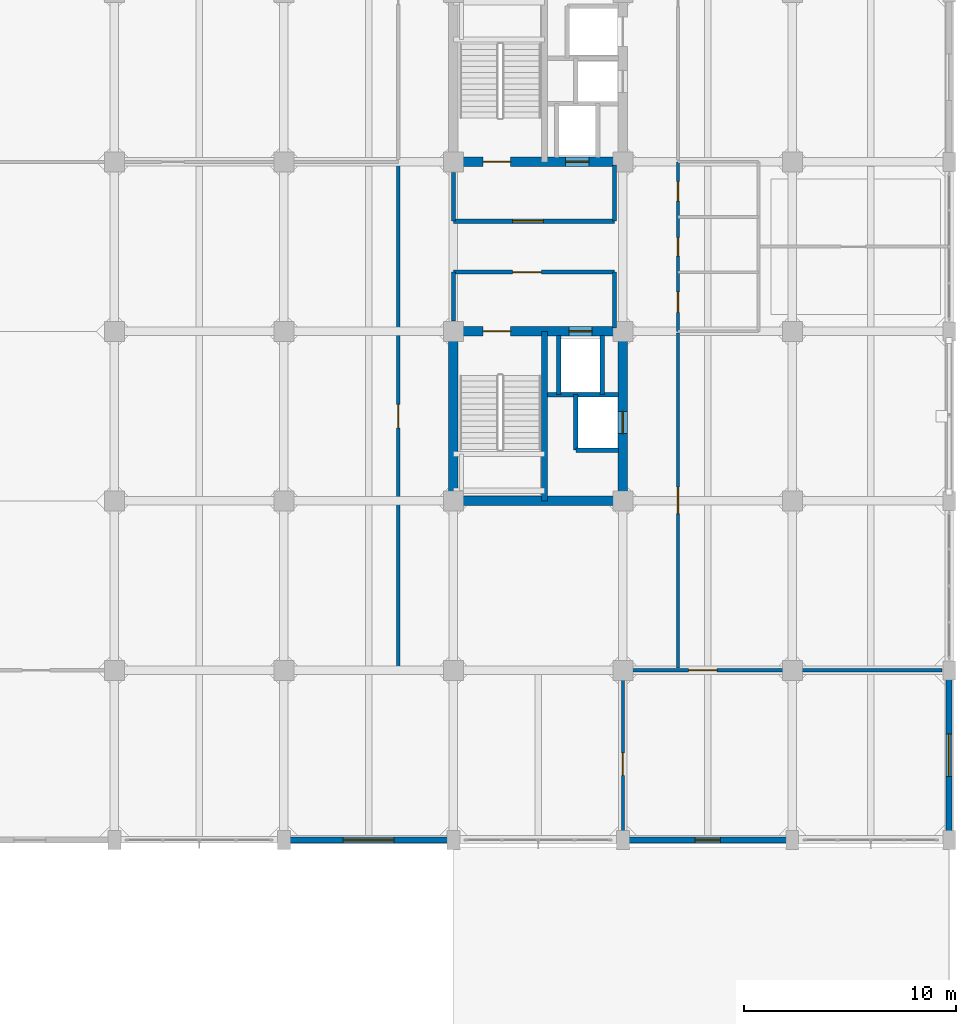
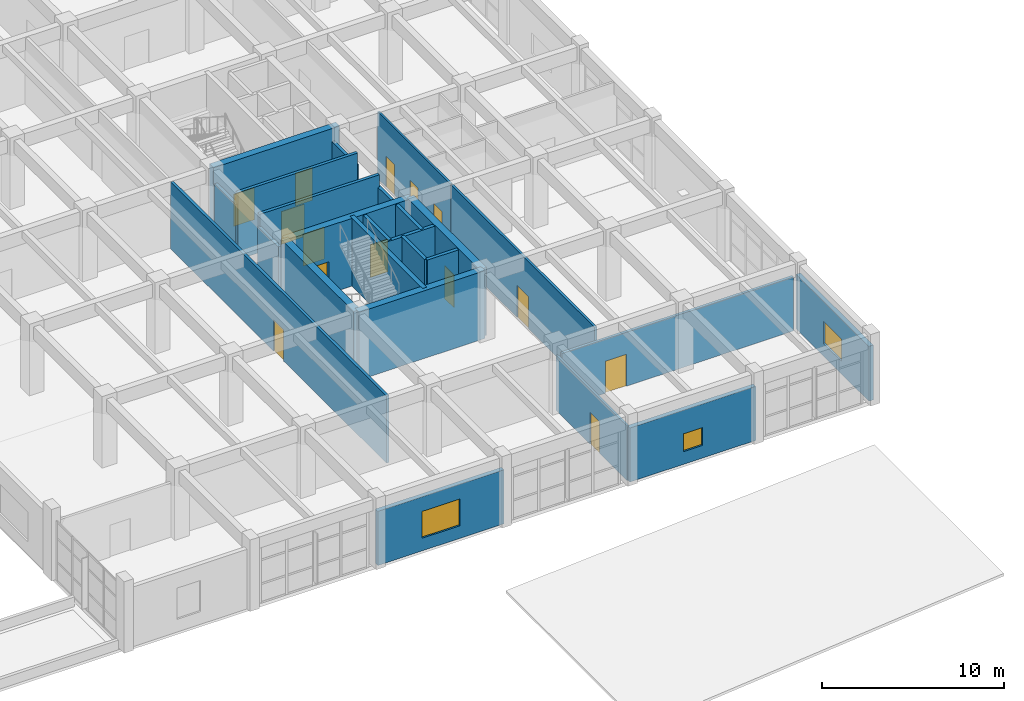
# One storey, part 52 of 63: 25 walls, 14 doors, 3 windows, 17 openings.
"""IFC4 building model written with IfcOpenShell, lengths in metres."""

from ifc_helpers import new_model, si_unit, direction, frame, frame_2d, origin, place, context, subcontext, project, spatial, rectangle, extrude, material, layer, layer_set, type_object, element, fill, save


model = new_model("IFC4")

# Units and contexts
model_context = context("Model", 3, precision=1e-05, world=origin(), true_north=direction((0.0, 1.0)))
body_context = subcontext(model_context, "Body", "Model", "MODEL_VIEW")
ifc_project = project(units=[si_unit("LENGTHUNIT", "METRE"), si_unit("AREAUNIT", "SQUARE_METRE"), si_unit("VOLUMEUNIT", "CUBIC_METRE"), si_unit("PLANEANGLEUNIT", "RADIAN"), si_unit("MASSUNIT", "GRAM", prefix="KILO")], contexts=[model_context])

# Site, building, storey
site_placement = place(None, origin())
site = spatial("IfcSite", under=ifc_project, at=site_placement, CompositionType="ELEMENT")
building_placement = place(site_placement, origin())
building = spatial("IfcBuilding", under=site, at=building_placement, Name="Canggui Botanical Conservatory", CompositionType="ELEMENT")
storey_placement = place(building_placement, frame((0.0, 0.0, 10.199951171875)))
storey = spatial("IfcBuildingStorey", under=building, at=storey_placement, Name="L03", CompositionType="ELEMENT", Elevation=10.199951171875)

# Wall, opening, window
ifc_material_1 = material(Name="Precast Concrete C40", Category="concrete")
ifc_layer_1 = layer(ifc_material_1, 0.280029296875, Name="Precast Concrete C40", Category="concrete")
ifc_layer_set_1 = layer_set([ifc_layer_1], Name="Precast Concrete C40")
wall_type_1 = type_object("IfcWallType", Name="EW-280", PredefinedType="STANDARD", material=ifc_layer_set_1)
wall_1_placement = place(storey_placement, frame((170.0, 26.0, 0.0), z_axis=(0.0, 0.0, 1.0), x_axis=(-1.0, 0.0, 0.0)))
wall_1 = element("IfcWall", 1, at=wall_1_placement, inside=storey, type_object=wall_type_1, Name="Tower Insulated Exterior Wall L03-S2", PredefinedType="STANDARD", context=body_context, shape_type="SweptSolid", body=[
    extrude(rectangle(XDim=8.0, YDim=0.280029296875, at=frame_2d((4.0, 0.0))), origin(), (0.0, 0.0, 1.0), 3.630126953125),
])
opening_1_placement = place(wall_1_placement, frame((3.39990234375, 0.0, 0.85009765625)))
opening_1 = element("IfcOpeningElement", 2, at=opening_1_placement, cuts=wall_1, Name="Opening W-06", PredefinedType="OPENING", context=body_context, shape_type="SweptSolid", body=[
    extrude(rectangle(XDim=1.199951171875, YDim=1.199951171875, at=frame_2d((0.60009765625, 0.60009765625))), frame((0.0, 0.14990234375, 0.0), z_axis=(0.0, -1.0, 0.0), x_axis=(1.0, 0.0, 0.0)), (0.0, 0.0, 1.0), 0.300048828125),
])
ifc_material_2 = material(Name="Low-E Insulated Glass", Category="glass")
window_type_1 = type_object("IfcWindowType", Name="WIN-06", PartitioningType="SINGLE_PANEL", PredefinedType="WINDOW", material=ifc_material_2)
window_1_placement = place(opening_1_placement, origin())
window_1 = element("IfcWindow", 3, at=window_1_placement, inside=storey, type_object=window_type_1, Name="Tower Firefighter Rescue Window L03-2", OverallHeight=1.199951171875, OverallWidth=1.199951171875, PartitioningType="SINGLE_PANEL", PredefinedType="WINDOW", context=body_context, shape_type="SweptSolid", body=[
    extrude(rectangle(XDim=1.199951171875, YDim=1.199951171875, at=frame_2d((0.60009765625, 0.60009765625))), frame((0.0, 0.030029296875, 0.0), z_axis=(0.0, -1.0, 0.0), x_axis=(1.0, 0.0, 0.0)), (0.0, 0.0, 1.0), 0.06005859375),
])
fill(opening_1, window_1)

wall_2_placement = place(storey_placement, frame((154.0, 26.0, 0.0), z_axis=(0.0, 0.0, 1.0), x_axis=(-1.0, 0.0, 0.0)))
wall_2 = element("IfcWall", 4, at=wall_2_placement, inside=storey, type_object=wall_type_1, Name="Tower Insulated Exterior Wall L03-S4", PredefinedType="STANDARD", context=body_context, shape_type="SweptSolid", body=[
    extrude(rectangle(XDim=8.0, YDim=0.280029296875, at=frame_2d((4.0, 0.0))), origin(), (0.0, 0.0, 1.0), 3.630126953125),
])
opening_2_placement = place(wall_2_placement, frame((2.800048828125, 0.0, 0.85009765625)))
opening_2 = element("IfcOpeningElement", 5, at=opening_2_placement, cuts=wall_2, Name="Opening W-01", PredefinedType="OPENING", context=body_context, shape_type="SweptSolid", body=[
    extrude(rectangle(XDim=2.39990234375, YDim=1.800048828125, at=frame_2d((1.199951171875, 0.89990234375))), frame((0.0, 0.14990234375, 0.0), z_axis=(0.0, -1.0, 0.0), x_axis=(1.0, 0.0, 0.0)), (0.0, 0.0, 1.0), 0.300048828125),
])
window_type_2 = type_object("IfcWindowType", Name="WIN-01", PartitioningType="DOUBLE_PANEL_VERTICAL", PredefinedType="WINDOW", material=ifc_material_2)
window_2_placement = place(opening_2_placement, origin())
window_2 = element("IfcWindow", 6, at=window_2_placement, inside=storey, type_object=window_type_2, Name="Tower Window L03-4", OverallHeight=1.800048828125, OverallWidth=2.39990234375, PartitioningType="SINGLE_PANEL", PredefinedType="WINDOW", context=body_context, shape_type="SweptSolid", body=[
    extrude(rectangle(XDim=2.39990234375, YDim=1.800048828125, at=frame_2d((1.199951171875, 0.89990234375))), frame((0.0, 0.030029296875, 0.0), z_axis=(0.0, -1.0, 0.0), x_axis=(1.0, 0.0, 0.0)), (0.0, 0.0, 1.0), 0.06005859375),
])
fill(opening_2, window_2)

wall_3_placement = place(storey_placement, frame((177.39990234375, 34.0, 0.0), z_axis=(0.0, 0.0, 1.0), x_axis=(0.0, -1.0, 0.0)))
wall_3 = element("IfcWall", 7, at=wall_3_placement, inside=storey, type_object=wall_type_1, Name="Tower Insulated Exterior Wall L03-E26", PredefinedType="STANDARD", context=body_context, shape_type="SweptSolid", body=[
    extrude(rectangle(XDim=8.0, YDim=0.280029296875, at=frame_2d((4.0, 0.0))), origin(), (0.0, 0.0, 1.0), 3.679931640625),
])
opening_3_placement = place(wall_3_placement, frame((3.0, 0.0, 0.85009765625)))
opening_3 = element("IfcOpeningElement", 8, at=opening_3_placement, cuts=wall_3, Name="Opening W-11", PredefinedType="OPENING", context=body_context, shape_type="SweptSolid", body=[
    extrude(rectangle(XDim=2.0, YDim=1.5, at=frame_2d((1.0, 0.75))), frame((0.0, 0.14990234375, 0.0), z_axis=(0.0, -1.0, 0.0), x_axis=(1.0, 0.0, 0.0)), (0.0, 0.0, 1.0), 0.300048828125),
])
window_type_3 = type_object("IfcWindowType", Name="WIN-11", PartitioningType="DOUBLE_PANEL_VERTICAL", PredefinedType="WINDOW", material=ifc_material_2)
window_3_placement = place(opening_3_placement, origin())
window_3 = element("IfcWindow", 9, at=window_3_placement, inside=storey, type_object=window_type_3, Name="Tower Window L03-26", OverallHeight=1.5, OverallWidth=2.0, PartitioningType="SINGLE_PANEL", PredefinedType="WINDOW", context=body_context, shape_type="SweptSolid", body=[
    extrude(rectangle(XDim=2.0, YDim=1.5, at=frame_2d((1.0, 0.75))), frame((0.0, 0.030029296875, 0.0), z_axis=(0.0, -1.0, 0.0), x_axis=(1.0, 0.0, 0.0)), (0.0, 0.0, 1.0), 0.06005859375),
])
fill(opening_3, window_3)

# Wall, opening, door
ifc_material_3 = material(Name="Gypsum Plasterboard Partition")
ifc_layer_2 = layer(ifc_material_3, 0.175048828125, Name="Gypsum Plasterboard Partition")
ifc_layer_set_2 = layer_set([ifc_layer_2], Name="Gypsum Plasterboard Partition")
wall_type_2 = type_object("IfcWallType", Name="IW-CORR-175", PredefinedType="STANDARD", material=ifc_layer_set_2)
wall_4_placement = place(storey_placement, frame((151.39990234375, 34.1201171875, 0.0), z_axis=(0.0, 0.0, 1.0), x_axis=(0.0, 1.0, 0.0)))
wall_4 = element("IfcWall", 10, at=wall_4_placement, inside=storey, type_object=wall_type_2, Name="L03 Herbarium Mobile Compactor Archive Corridor Wall", PredefinedType="STANDARD", context=body_context, shape_type="SweptSolid", body=[
    extrude(rectangle(XDim=23.759765625, YDim=0.175048828125, at=frame_2d((11.8798828125, 0.0))), origin(), (0.0, 0.0, 1.0), 4.5),
])
opening_4_placement = place(wall_4_placement, frame((11.330078125, 0.0, 0.0)))
opening_4 = element("IfcOpeningElement", 11, at=opening_4_placement, cuts=wall_4, Name="Opening FD-05", PredefinedType="OPENING", context=body_context, shape_type="SweptSolid", body=[
    extrude(rectangle(XDim=1.10009765625, YDim=2.10009765625, at=frame_2d((0.550048828125, 1.050048828125))), frame((0.0, 0.09765625, 0.0), z_axis=(0.0, -1.0, 0.0), x_axis=(1.0, 0.0, 0.0)), (0.0, 0.0, 1.0), 0.195068359375),
])
ifc_material_4 = material(Name="Powder-Coated Steel", Category="steel")
door_type_1 = type_object("IfcDoorType", Name="FD-05", OperationType="NOTDEFINED", PredefinedType="DOOR", material=ifc_material_4)
door_1_placement = place(opening_4_placement, origin())
door_1 = element("IfcDoor", 12, at=door_1_placement, inside=storey, type_object=door_type_1, Name="L03 Herbarium Mobile Compactor Archive Entrance Door", OperationType="SINGLE_SWING_RIGHT", OverallHeight=2.10009765625, OverallWidth=1.10009765625, PredefinedType="DOOR", context=body_context, shape_type="SweptSolid", body=[
    extrude(rectangle(XDim=1.10009765625, YDim=2.10009765625, at=frame_2d((0.550048828125, 1.050048828125))), frame((0.0, 0.02490234375, 0.0), z_axis=(0.0, -1.0, 0.0), x_axis=(1.0, 0.0, 0.0)), (0.0, 0.0, 1.0), 0.050048828125),
])
fill(opening_4, door_1)

wall_5_placement = place(storey_placement, frame((162.35009765625, 34.0, 0.0), z_axis=(0.0, 0.0, 1.0), x_axis=(1.0, 0.0, 0.0)))
wall_5 = element("IfcWall", 13, at=wall_5_placement, inside=storey, type_object=wall_type_2, Name="L03 Botanical Database Server Room South Suite Wall", PredefinedType="STANDARD", context=body_context, shape_type="SweptSolid", body=[
    extrude(rectangle(XDim=14.699951171875, YDim=0.175048828125, at=frame_2d((7.35009765625, 0.0))), origin(), (0.0, 0.0, 1.0), 3.630126953125),
])
opening_5_placement = place(wall_5_placement, frame((2.75, 0.0, 0.0)))
opening_5 = element("IfcOpeningElement", 14, at=opening_5_placement, cuts=wall_5, Name="Opening FD-10", PredefinedType="OPENING", context=body_context, shape_type="SweptSolid", body=[
    extrude(rectangle(XDim=1.35009765625, YDim=2.14990234375, at=frame_2d((0.675048828125, 1.074951171875))), frame((0.0, 0.09765625, 0.0), z_axis=(0.0, -1.0, 0.0), x_axis=(1.0, 0.0, 0.0)), (0.0, 0.0, 1.0), 0.195068359375),
])
door_type_2 = type_object("IfcDoorType", Name="FD-10", OperationType="NOTDEFINED", PredefinedType="DOOR", material=ifc_material_4)
door_2_placement = place(opening_5_placement, origin())
door_2 = element("IfcDoor", 15, at=door_2_placement, inside=storey, type_object=door_type_2, Name="Interior Door IW-L03-SCOR-2", OperationType="SINGLE_SWING_RIGHT", OverallHeight=2.14990234375, OverallWidth=1.35009765625, PredefinedType="DOOR", context=body_context, shape_type="SweptSolid", body=[
    extrude(rectangle(XDim=1.35009765625, YDim=2.14990234375, at=frame_2d((0.675048828125, 1.074951171875))), frame((0.0, 0.02490234375, 0.0), z_axis=(0.0, -1.0, 0.0), x_axis=(1.0, 0.0, 0.0)), (0.0, 0.0, 1.0), 0.050048828125),
])
fill(opening_5, door_2)

ifc_layer_3 = layer(ifc_material_3, 0.155029296875, Name="Gypsum Plasterboard Partition")
ifc_layer_set_3 = layer_set([ifc_layer_3], Name="Gypsum Plasterboard Partition")
wall_type_3 = type_object("IfcWallType", Name="IW-LAB-155", PredefinedType="STANDARD", material=ifc_layer_set_3)
wall_6_placement = place(storey_placement, frame((164.60009765625, 34.1201171875, 0.0), z_axis=(0.0, 0.0, 1.0), x_axis=(0.0, 1.0, 0.0)))
wall_6 = element("IfcWall", 16, at=wall_6_placement, inside=storey, type_object=wall_type_3, Name="L03 Herbarium Curation Workroom Lab Wall", PredefinedType="STANDARD", context=body_context, shape_type="SweptSolid", body=[
    extrude(rectangle(XDim=15.7998046875, YDim=0.155029296875, at=frame_2d((7.89990234375, 0.0))), origin(), (0.0, 0.0, 1.0), 4.5),
])
opening_6_placement = place(wall_6_placement, frame((7.27490234375, 0.0, 0.0)))
opening_6 = element("IfcOpeningElement", 17, at=opening_6_placement, cuts=wall_6, Name="Opening FD-08", PredefinedType="OPENING", context=body_context, shape_type="SweptSolid", body=[
    extrude(rectangle(XDim=1.25, YDim=2.14990234375, at=frame_2d((0.625, 1.074951171875))), frame((0.0, 0.08740234375, 0.0), z_axis=(0.0, -1.0, 0.0), x_axis=(1.0, 0.0, 0.0)), (0.0, 0.0, 1.0), 0.175048828125),
])
door_type_3 = type_object("IfcDoorType", Name="FD-08", OperationType="NOTDEFINED", PredefinedType="DOOR", material=ifc_material_4)
door_3_placement = place(opening_6_placement, origin())
door_3 = element("IfcDoor", 18, at=door_3_placement, inside=storey, type_object=door_type_3, Name="Interior Door IW-L03-ECOR-1-1", OperationType="SINGLE_SWING_LEFT", OverallHeight=2.14990234375, OverallWidth=1.25, PredefinedType="DOOR", context=body_context, shape_type="SweptSolid", body=[
    extrude(rectangle(XDim=1.25, YDim=2.14990234375, at=frame_2d((0.625, 1.074951171875))), frame((0.0, 0.02490234375, 0.0), z_axis=(0.0, -1.0, 0.0), x_axis=(1.0, 0.0, 0.0)), (0.0, 0.0, 1.0), 0.050048828125),
])
fill(opening_6, door_3)

ifc_material_5 = material(Name="Concrete C35", Category="concrete")
ifc_layer_4 = layer(ifc_material_5, 0.195068359375, Name="Concrete C35", Category="concrete")
ifc_layer_set_4 = layer_set([ifc_layer_4], Name="Concrete C35")
wall_type_4 = type_object("IfcWallType", Name="IW-LOBBY-195", PredefinedType="STANDARD", material=ifc_layer_set_4)
wall_7_placement = place(storey_placement, frame((154.0, 52.800048828125, 0.0), z_axis=(0.0, 0.0, 1.0), x_axis=(1.0, 0.0, 0.0)))
wall_7 = element("IfcWall", 19, at=wall_7_placement, inside=storey, type_object=wall_type_4, Name="L03 South Firefighting Lift Lobby North Wall", PredefinedType="STANDARD", context=body_context, shape_type="SweptSolid", body=[
    extrude(rectangle(XDim=7.60009765625, YDim=0.195068359375, at=frame_2d((3.800048828125, 0.0))), origin(), (0.0, 0.0, 1.0), 4.5),
])
opening_7_placement = place(wall_7_placement, frame((2.800048828125, 0.0, 0.0)))
opening_7 = element("IfcOpeningElement", 20, at=opening_7_placement, cuts=wall_7, Name="Opening FD-10", PredefinedType="OPENING", context=body_context, shape_type="SweptSolid", body=[
    extrude(rectangle(XDim=1.35009765625, YDim=2.14990234375, at=frame_2d((0.675048828125, 1.074951171875))), frame((0.0, 0.107421875, 0.0), z_axis=(0.0, -1.0, 0.0), x_axis=(1.0, 0.0, 0.0)), (0.0, 0.0, 1.0), 0.215087890625),
])
door_4_placement = place(opening_7_placement, origin())
door_4 = element("IfcDoor", 21, at=door_4_placement, inside=storey, type_object=door_type_2, Name="L03 South Firefighting Lobby Fire Door", OperationType="SINGLE_SWING_LEFT", OverallHeight=2.14990234375, OverallWidth=1.35009765625, PredefinedType="DOOR", context=body_context, shape_type="SweptSolid", body=[
    extrude(rectangle(XDim=1.35009765625, YDim=2.14990234375, at=frame_2d((0.675048828125, 1.074951171875))), frame((0.0, 0.02490234375, 0.0), z_axis=(0.0, -1.0, 0.0), x_axis=(1.0, 0.0, 0.0)), (0.0, 0.0, 1.0), 0.050048828125),
])
fill(opening_7, door_4)

# Walls
wall_8_placement = place(storey_placement, frame((161.60009765625, 50.14990234375, 0.0), z_axis=(0.0, 0.0, 1.0), x_axis=(0.0, 1.0, 0.0)))
element("IfcWall", 22, at=wall_8_placement, inside=storey, type_object=wall_type_4, Name="L03 South Firefighting Lift Lobby East Wall", PredefinedType="STANDARD", context=body_context, shape_type="SweptSolid", body=[
    extrude(rectangle(XDim=2.650146484375, YDim=0.195068359375, at=frame_2d((1.3251953125, 0.0))), origin(), (0.0, 0.0, 1.0), 3.679931640625),
])
wall_9_placement = place(storey_placement, frame((154.0, 50.5, 0.0), z_axis=(0.0, 0.0, 1.0), x_axis=(0.0, 1.0, 0.0)))
element("IfcWall", 23, at=wall_9_placement, inside=storey, type_object=wall_type_4, Name="L03 South Firefighting Lift Lobby West Wall", PredefinedType="STANDARD", context=body_context, shape_type="SweptSolid", body=[
    extrude(rectangle(XDim=2.300048828125, YDim=0.195068359375, at=frame_2d((1.14990234375, 0.0))), origin(), (0.0, 0.0, 1.0), 3.679931640625),
])

# Wall, opening, door
wall_10_placement = place(storey_placement, frame((154.0, 55.199951171875, 0.0), z_axis=(0.0, 0.0, 1.0), x_axis=(1.0, 0.0, 0.0)))
wall_10 = element("IfcWall", 24, at=wall_10_placement, inside=storey, type_object=wall_type_4, Name="L03 North Firefighting Lift Lobby South Wall", PredefinedType="STANDARD", context=body_context, shape_type="SweptSolid", body=[
    extrude(rectangle(XDim=7.60009765625, YDim=0.195068359375, at=frame_2d((3.800048828125, 0.0))), origin(), (0.0, 0.0, 1.0), 4.5),
])
opening_8_placement = place(wall_10_placement, frame((2.800048828125, 0.0, 0.0)))
opening_8 = element("IfcOpeningElement", 25, at=opening_8_placement, cuts=wall_10, Name="Opening FD-12", PredefinedType="OPENING", context=body_context, shape_type="SweptSolid", body=[
    extrude(rectangle(XDim=1.449951171875, YDim=2.199951171875, at=frame_2d((0.72509765625, 1.10009765625))), frame((0.0, 0.107421875, 0.0), z_axis=(0.0, -1.0, 0.0), x_axis=(1.0, 0.0, 0.0)), (0.0, 0.0, 1.0), 0.215087890625),
])
door_type_4 = type_object("IfcDoorType", Name="FD-12", OperationType="NOTDEFINED", PredefinedType="DOOR", material=ifc_material_4)
door_5_placement = place(opening_8_placement, origin())
door_5 = element("IfcDoor", 26, at=door_5_placement, inside=storey, type_object=door_type_4, Name="L03 North Firefighting Lobby Fire Door", OperationType="SINGLE_SWING_RIGHT", OverallHeight=2.199951171875, OverallWidth=1.449951171875, PredefinedType="DOOR", context=body_context, shape_type="SweptSolid", body=[
    extrude(rectangle(XDim=1.449951171875, YDim=2.199951171875, at=frame_2d((0.72509765625, 1.10009765625))), frame((0.0, 0.02490234375, 0.0), z_axis=(0.0, -1.0, 0.0), x_axis=(1.0, 0.0, 0.0)), (0.0, 0.0, 1.0), 0.050048828125),
])
fill(opening_8, door_5)

# Walls
wall_11_placement = place(storey_placement, frame((161.60009765625, 55.199951171875, 0.0), z_axis=(0.0, 0.0, 1.0), x_axis=(0.0, 1.0, 0.0)))
element("IfcWall", 27, at=wall_11_placement, inside=storey, type_object=wall_type_4, Name="L03 North Firefighting Lift Lobby East Wall", PredefinedType="STANDARD", context=body_context, shape_type="SweptSolid", body=[
    extrude(rectangle(XDim=2.650146484375, YDim=0.195068359375, at=frame_2d((1.3251953125, 0.0))), origin(), (0.0, 0.0, 1.0), 3.679931640625),
])
wall_12_placement = place(storey_placement, frame((154.0, 55.199951171875, 0.0), z_axis=(0.0, 0.0, 1.0), x_axis=(0.0, 1.0, 0.0)))
element("IfcWall", 28, at=wall_12_placement, inside=storey, type_object=wall_type_4, Name="L03 North Firefighting Lift Lobby West Wall", PredefinedType="STANDARD", context=body_context, shape_type="SweptSolid", body=[
    extrude(rectangle(XDim=2.300048828125, YDim=0.195068359375, at=frame_2d((1.14990234375, 0.0))), origin(), (0.0, 0.0, 1.0), 3.679931640625),
])

# Wall, opening, door
ifc_layer_5 = layer(ifc_material_3, 0.139892578125, Name="Gypsum Plasterboard Partition")
ifc_layer_set_5 = layer_set([ifc_layer_5], Name="Gypsum Plasterboard Partition")
wall_type_5 = type_object("IfcWallType", Name="IW-PART-140", PredefinedType="STANDARD", material=ifc_layer_set_5)
wall_13_placement = place(storey_placement, frame((162.0, 26.050048828125, 0.0), z_axis=(0.0, 0.0, 1.0), x_axis=(0.0, 1.0, 0.0)))
wall_13 = element("IfcWall", 29, at=wall_13_placement, inside=storey, type_object=wall_type_5, Name="L03 High-Resolution Herbarium Imaging Studio South Cross Wall", PredefinedType="STANDARD", context=body_context, shape_type="SweptSolid", body=[
    extrude(rectangle(XDim=7.829833984375, YDim=0.139892578125, at=frame_2d((3.9150390625, 0.0))), origin(), (0.0, 0.0, 1.0), 3.679931640625),
])
opening_9_placement = place(wall_13_placement, frame((3.0, 0.0, 0.0)))
opening_9 = element("IfcOpeningElement", 30, at=opening_9_placement, cuts=wall_13, Name="Opening ID-05", PredefinedType="OPENING", context=body_context, shape_type="SweptSolid", body=[
    extrude(rectangle(XDim=1.06005859375, YDim=2.1201171875, at=frame_2d((0.530029296875, 1.06005859375))), frame((0.0, 0.080078125, 0.0), z_axis=(0.0, -1.0, 0.0), x_axis=(1.0, 0.0, 0.0)), (0.0, 0.0, 1.0), 0.159912109375),
])
ifc_material_6 = material(Name="Engineered Timber Veneer", Category="wood")
door_type_5 = type_object("IfcDoorType", Name="ID-05", OperationType="NOTDEFINED", PredefinedType="DOOR", material=ifc_material_6)
door_6_placement = place(opening_9_placement, origin())
door_6 = element("IfcDoor", 31, at=door_6_placement, inside=storey, type_object=door_type_5, Name="Interior Door IW-L03-SDIV-1", OperationType="SINGLE_SWING_LEFT", OverallHeight=2.1201171875, OverallWidth=1.06005859375, PredefinedType="DOOR", context=body_context, shape_type="SweptSolid", body=[
    extrude(rectangle(XDim=1.06005859375, YDim=2.1201171875, at=frame_2d((0.530029296875, 1.06005859375))), frame((0.0, 0.02490234375, 0.0), z_axis=(0.0, -1.0, 0.0), x_axis=(1.0, 0.0, 0.0)), (0.0, 0.0, 1.0), 0.050048828125),
])
fill(opening_9, door_6)

# Walls
ifc_layer_6 = layer(ifc_material_5, 0.215087890625, Name="Concrete C35", Category="concrete")
ifc_layer_set_6 = layer_set([ifc_layer_6], Name="Concrete C35")
wall_type_6 = type_object("IfcWallType", Name="IW-SHAFT-215", PredefinedType="STANDARD", material=ifc_layer_set_6)
wall_14_placement = place(storey_placement, frame((158.449951171875, 47.02001953125, 0.0), z_axis=(0.0, 0.0, 1.0), x_axis=(1.0, 0.0, 0.0)))
element("IfcWall", 32, at=wall_14_placement, inside=storey, type_object=wall_type_6, Name="Core T1 Lift Shaft Divider L03", PredefinedType="STANDARD", context=body_context, shape_type="SweptSolid", body=[
    extrude(rectangle(XDim=3.35009765625, YDim=0.215087890625, at=frame_2d((1.675048828125, 0.0))), origin(), (0.0, 0.0, 1.0), 4.5),
])
for number, where, z_axis, x_axis, name in (
    (33, (158.97998046875, 47.02001953125, 0.0), (0.0, 0.0, 1.0), (0.0, 1.0, 0.0), "Core T1 FL-01 West Shaft Wall L03"),
    (34, (161.02001953125, 47.02001953125, 0.0), (0.0, 0.0, 1.0), (0.0, 1.0, 0.0), "Core T1 FL-01 East Shaft Wall L03"),
):
    element("IfcWall", number, at=place(storey_placement, frame(where, z_axis=z_axis, x_axis=x_axis)), inside=storey, type_object=wall_type_6, Name=name, PredefinedType="STANDARD", context=body_context, shape_type="SweptSolid", body=[
        extrude(rectangle(XDim=2.780029296875, YDim=0.215087890625, at=frame_2d((1.39013671875, 0.0))), origin(), (0.0, 0.0, 1.0), 4.5),
    ])
wall_15_placement = place(storey_placement, frame((159.780029296875, 44.39990234375, 0.0), z_axis=(0.0, 0.0, 1.0), x_axis=(0.0, 1.0, 0.0)))
element("IfcWall", 35, at=wall_15_placement, inside=storey, type_object=wall_type_6, Name="Core T1 PL-01 West Shaft Wall L03", PredefinedType="STANDARD", context=body_context, shape_type="SweptSolid", body=[
    extrude(rectangle(XDim=2.6201171875, YDim=0.215087890625, at=frame_2d((1.31005859375, 0.0))), origin(), (0.0, 0.0, 1.0), 4.5),
])
wall_16_placement = place(storey_placement, frame((159.780029296875, 44.39990234375, 0.0), z_axis=(0.0, 0.0, 1.0), x_axis=(1.0, 0.0, 0.0)))
element("IfcWall", 36, at=wall_16_placement, inside=storey, type_object=wall_type_6, Name="Core T1 PL-01 South Shaft Wall L03", PredefinedType="STANDARD", context=body_context, shape_type="SweptSolid", body=[
    extrude(rectangle(XDim=2.02001953125, YDim=0.215087890625, at=frame_2d((1.010009765625, 0.0))), origin(), (0.0, 0.0, 1.0), 4.5),
])

# Wall, openings, doors
ifc_layer_7 = layer(ifc_material_3, 0.125, Name="Gypsum Plasterboard Partition")
ifc_layer_set_7 = layer_set([ifc_layer_7], Name="Gypsum Plasterboard Partition")
wall_type_7 = type_object("IfcWallType", Name="IW-WC-125", PredefinedType="STANDARD", material=ifc_layer_set_7)
wall_17_placement = place(storey_placement, frame((164.60009765625, 50.0, 0.0), z_axis=(0.0, 0.0, 1.0), x_axis=(0.0, 1.0, 0.0)))
wall_17 = element("IfcWall", 37, at=wall_17_placement, inside=storey, type_object=wall_type_7, Name="L03 Restroom Block Corridor Wall", PredefinedType="STANDARD", context=body_context, shape_type="SweptSolid", body=[
    extrude(rectangle(XDim=8.0, YDim=0.125, at=frame_2d((4.0, 0.0))), origin(), (0.0, 0.0, 1.0), 4.5),
])
opening_10_placement = place(wall_17_placement, frame((0.89990234375, 0.0, 0.0)))
opening_10 = element("IfcOpeningElement", 38, at=opening_10_placement, cuts=wall_17, Name="Opening ID-03", PredefinedType="OPENING", context=body_context, shape_type="SweptSolid", body=[
    extrude(rectangle(XDim=0.9599609375, YDim=2.080078125, at=frame_2d((0.47998046875, 1.0400390625))), frame((0.0, 0.072509765625, 0.0), z_axis=(0.0, -1.0, 0.0), x_axis=(1.0, 0.0, 0.0)), (0.0, 0.0, 1.0), 0.14501953125),
])
opening_11_placement = place(wall_17_placement, frame((3.550048828125, 0.0, 0.0)))
opening_11 = element("IfcOpeningElement", 39, at=opening_11_placement, cuts=wall_17, Name="Opening ID-01", PredefinedType="OPENING", context=body_context, shape_type="SweptSolid", body=[
    extrude(rectangle(XDim=0.8798828125, YDim=2.050048828125, at=frame_2d((0.43994140625, 1.02490234375))), frame((0.0, 0.072509765625, 0.0), z_axis=(0.0, -1.0, 0.0), x_axis=(1.0, 0.0, 0.0)), (0.0, 0.0, 1.0), 0.14501953125),
])
opening_12_placement = place(wall_17_placement, frame((6.14990234375, 0.0, 0.0)))
opening_12 = element("IfcOpeningElement", 40, at=opening_12_placement, cuts=wall_17, Name="Opening ID-02", PredefinedType="OPENING", context=body_context, shape_type="SweptSolid", body=[
    extrude(rectangle(XDim=0.919921875, YDim=2.050048828125, at=frame_2d((0.4599609375, 1.02490234375))), frame((0.0, 0.072509765625, 0.0), z_axis=(0.0, -1.0, 0.0), x_axis=(1.0, 0.0, 0.0)), (0.0, 0.0, 1.0), 0.14501953125),
])
door_type_6 = type_object("IfcDoorType", Name="ID-01", OperationType="NOTDEFINED", PredefinedType="DOOR", material=ifc_material_6)
door_7_placement = place(opening_11_placement, origin())
door_7 = element("IfcDoor", 41, at=door_7_placement, inside=storey, type_object=door_type_6, Name="L03 Male WC Door", OperationType="SINGLE_SWING_RIGHT", OverallHeight=2.050048828125, OverallWidth=0.8798828125, PredefinedType="DOOR", context=body_context, shape_type="SweptSolid", body=[
    extrude(rectangle(XDim=0.8798828125, YDim=2.050048828125, at=frame_2d((0.43994140625, 1.02490234375))), frame((0.0, 0.02490234375, 0.0), z_axis=(0.0, -1.0, 0.0), x_axis=(1.0, 0.0, 0.0)), (0.0, 0.0, 1.0), 0.050048828125),
])
fill(opening_11, door_7)
door_type_7 = type_object("IfcDoorType", Name="ID-02", OperationType="NOTDEFINED", PredefinedType="DOOR", material=ifc_material_6)
door_8_placement = place(opening_12_placement, origin())
door_8 = element("IfcDoor", 42, at=door_8_placement, inside=storey, type_object=door_type_7, Name="L03 Female WC Door", OperationType="SINGLE_SWING_LEFT", OverallHeight=2.050048828125, OverallWidth=0.919921875, PredefinedType="DOOR", context=body_context, shape_type="SweptSolid", body=[
    extrude(rectangle(XDim=0.919921875, YDim=2.050048828125, at=frame_2d((0.4599609375, 1.02490234375))), frame((0.0, 0.02490234375, 0.0), z_axis=(0.0, -1.0, 0.0), x_axis=(1.0, 0.0, 0.0)), (0.0, 0.0, 1.0), 0.050048828125),
])
fill(opening_12, door_8)
door_type_8 = type_object("IfcDoorType", Name="ID-03", OperationType="NOTDEFINED", PredefinedType="DOOR", material=ifc_material_6)
door_9_placement = place(opening_10_placement, origin())
door_9 = element("IfcDoor", 43, at=door_9_placement, inside=storey, type_object=door_type_8, Name="L03 Accessible WC Door", OperationType="SINGLE_SWING_LEFT", OverallHeight=2.080078125, OverallWidth=0.9599609375, PredefinedType="DOOR", context=body_context, shape_type="SweptSolid", body=[
    extrude(rectangle(XDim=0.9599609375, YDim=2.080078125, at=frame_2d((0.47998046875, 1.0400390625))), frame((0.0, 0.02490234375, 0.0), z_axis=(0.0, -1.0, 0.0), x_axis=(1.0, 0.0, 0.0)), (0.0, 0.0, 1.0), 0.050048828125),
])
fill(opening_10, door_9)

# Walls
ifc_layer_8 = layer(ifc_material_5, 0.280029296875, Name="Concrete C35", Category="concrete")
ifc_layer_set_8 = layer_set([ifc_layer_8], Name="Concrete C35")
wall_type_8 = type_object("IfcWallType", Name="WALL-SH-280-C35", PredefinedType="SHEAR", material=ifc_layer_set_8)
wall_18_placement = place(storey_placement, frame((158.300048828125, 42.0, 0.0), z_axis=(0.0, 0.0, 1.0), x_axis=(0.0, 1.0, 0.0)))
element("IfcWall", 44, at=wall_18_placement, inside=storey, type_object=wall_type_8, Name="Core T1 Internal Shear Web L03", PredefinedType="SHEAR", context=body_context, shape_type="SweptSolid", body=[
    extrude(rectangle(XDim=8.0, YDim=0.280029296875, at=frame_2d((4.0, 0.0))), origin(), (0.0, 0.0, 1.0), 4.550048828125),
])
ifc_material_7 = material(Name="Concrete C50", Category="concrete")
ifc_layer_9 = layer(ifc_material_7, 0.449951171875, Name="Concrete C50", Category="concrete")
ifc_layer_set_9 = layer_set([ifc_layer_9], Name="Concrete C50")
wall_type_9 = type_object("IfcWallType", Name="WALL-SH-450-C50", PredefinedType="SHEAR", material=ifc_layer_set_9)
wall_19_placement = place(storey_placement, frame((154.0, 42.0, 0.0), z_axis=(0.0, 0.0, 1.0), x_axis=(1.0, 0.0, 0.0)))
element("IfcWall", 45, at=wall_19_placement, inside=storey, type_object=wall_type_9, Name="Core T1 Shear Wall L03-S", PredefinedType="SHEAR", context=body_context, shape_type="SweptSolid", body=[
    extrude(rectangle(XDim=8.0, YDim=0.449951171875, at=frame_2d((4.0, 0.0))), origin(), (0.0, 0.0, 1.0), 4.550048828125),
])

# Wall, opening, door
wall_20_placement = place(storey_placement, frame((162.0, 42.0, 0.0), z_axis=(0.0, 0.0, 1.0), x_axis=(0.0, 1.0, 0.0)))
wall_20 = element("IfcWall", 46, at=wall_20_placement, inside=storey, type_object=wall_type_9, Name="Core T1 Shear Wall L03-E", PredefinedType="SHEAR", context=body_context, shape_type="SweptSolid", body=[
    extrude(rectangle(XDim=8.0, YDim=0.449951171875, at=frame_2d((4.0, 0.0))), origin(), (0.0, 0.0, 1.0), 4.550048828125),
])
opening_13_placement = place(wall_20_placement, frame((3.175048828125, 0.0, 0.0)))
opening_13 = element("IfcOpeningElement", 47, at=opening_13_placement, cuts=wall_20, Name="Opening LD-02", PredefinedType="OPENING", context=body_context, shape_type="SweptSolid", body=[
    extrude(rectangle(XDim=1.050048828125, YDim=2.199951171875, at=frame_2d((0.52490234375, 1.10009765625))), frame((0.0, 0.23486328125, 0.0), z_axis=(0.0, -1.0, 0.0), x_axis=(1.0, 0.0, 0.0)), (0.0, 0.0, 1.0), 0.469970703125),
])
ifc_material_8 = material(Name="Stainless Steel 304", Category="steel")
door_type_9 = type_object("IfcDoorType", Name="LDR-02", OperationType="NOTDEFINED", PredefinedType="DOOR", material=ifc_material_8)
door_10_placement = place(opening_13_placement, origin())
door_10 = element("IfcDoor", 48, at=door_10_placement, inside=storey, type_object=door_type_9, Name="Passenger Lift PL-01 Landing Door L03", OperationType="SLIDING_TO_LEFT", OverallHeight=2.199951171875, OverallWidth=1.050048828125, PredefinedType="DOOR", context=body_context, shape_type="SweptSolid", body=[
    extrude(rectangle(XDim=1.050048828125, YDim=2.199951171875, at=frame_2d((0.52490234375, 1.10009765625))), frame((0.0, 0.02490234375, 0.0), z_axis=(0.0, -1.0, 0.0), x_axis=(1.0, 0.0, 0.0)), (0.0, 0.0, 1.0), 0.050048828125),
])
fill(opening_13, door_10)

# Wall, openings, doors
wall_21_placement = place(storey_placement, frame((162.0, 50.0, 0.0), z_axis=(0.0, 0.0, 1.0), x_axis=(-1.0, 0.0, 0.0)))
wall_21 = element("IfcWall", 49, at=wall_21_placement, inside=storey, type_object=wall_type_9, Name="Core T1 Shear Wall L03-N", PredefinedType="SHEAR", context=body_context, shape_type="SweptSolid", body=[
    extrude(rectangle(XDim=8.0, YDim=0.449951171875, at=frame_2d((4.0, 0.0))), origin(), (0.0, 0.0, 1.0), 4.550048828125),
])
opening_14_placement = place(wall_21_placement, frame((5.300048828125, 0.0, 0.0)))
opening_14 = element("IfcOpeningElement", 50, at=opening_14_placement, cuts=wall_21, Name="Opening FD-09", PredefinedType="OPENING", context=body_context, shape_type="SweptSolid", body=[
    extrude(rectangle(XDim=1.300048828125, YDim=2.14990234375, at=frame_2d((0.64990234375, 1.074951171875))), frame((0.0, 0.23486328125, 0.0), z_axis=(0.0, -1.0, 0.0), x_axis=(1.0, 0.0, 0.0)), (0.0, 0.0, 1.0), 0.469970703125),
])
opening_15_placement = place(wall_21_placement, frame((1.449951171875, 0.0, 0.0)))
opening_15 = element("IfcOpeningElement", 51, at=opening_15_placement, cuts=wall_21, Name="Opening LD-01", PredefinedType="OPENING", context=body_context, shape_type="SweptSolid", body=[
    extrude(rectangle(XDim=1.10009765625, YDim=2.199951171875, at=frame_2d((0.550048828125, 1.10009765625))), frame((0.0, 0.23486328125, 0.0), z_axis=(0.0, -1.0, 0.0), x_axis=(1.0, 0.0, 0.0)), (0.0, 0.0, 1.0), 0.469970703125),
])
door_type_10 = type_object("IfcDoorType", Name="FD-09", OperationType="NOTDEFINED", PredefinedType="DOOR", material=ifc_material_4)
door_11_placement = place(opening_14_placement, origin())
door_11 = element("IfcDoor", 52, at=door_11_placement, inside=storey, type_object=door_type_10, Name="Tower South Smoke-Proof Stair Door L03", OperationType="SINGLE_SWING_LEFT", OverallHeight=2.14990234375, OverallWidth=1.300048828125, PredefinedType="DOOR", context=body_context, shape_type="SweptSolid", body=[
    extrude(rectangle(XDim=1.300048828125, YDim=2.14990234375, at=frame_2d((0.64990234375, 1.074951171875))), frame((0.0, 0.02490234375, 0.0), z_axis=(0.0, -1.0, 0.0), x_axis=(1.0, 0.0, 0.0)), (0.0, 0.0, 1.0), 0.050048828125),
])
fill(opening_14, door_11)
door_type_11 = type_object("IfcDoorType", Name="LDR-01", OperationType="NOTDEFINED", PredefinedType="DOOR", material=ifc_material_8)
door_12_placement = place(opening_15_placement, origin())
door_12 = element("IfcDoor", 53, at=door_12_placement, inside=storey, type_object=door_type_11, Name="Firefighting Lift FL-01 Landing Door L03", OperationType="SLIDING_TO_LEFT", OverallHeight=2.199951171875, OverallWidth=1.10009765625, PredefinedType="DOOR", context=body_context, shape_type="SweptSolid", body=[
    extrude(rectangle(XDim=1.10009765625, YDim=2.199951171875, at=frame_2d((0.550048828125, 1.10009765625))), frame((0.0, 0.02490234375, 0.0), z_axis=(0.0, -1.0, 0.0), x_axis=(1.0, 0.0, 0.0)), (0.0, 0.0, 1.0), 0.050048828125),
])
fill(opening_15, door_12)

# Wall
wall_22_placement = place(storey_placement, frame((154.0, 50.0, 0.0), z_axis=(0.0, 0.0, 1.0), x_axis=(0.0, -1.0, 0.0)))
element("IfcWall", 54, at=wall_22_placement, inside=storey, type_object=wall_type_9, Name="Core T1 Shear Wall L03-W", PredefinedType="SHEAR", context=body_context, shape_type="SweptSolid", body=[
    extrude(rectangle(XDim=8.0, YDim=0.449951171875, at=frame_2d((4.0, 0.0))), origin(), (0.0, 0.0, 1.0), 4.550048828125),
])

# Wall, openings, doors
wall_23_placement = place(storey_placement, frame((154.0, 58.0, 0.0), z_axis=(0.0, 0.0, 1.0), x_axis=(1.0, 0.0, 0.0)))
wall_23 = element("IfcWall", 55, at=wall_23_placement, inside=storey, type_object=wall_type_9, Name="Core T2 Shear Wall L03-S", PredefinedType="SHEAR", context=body_context, shape_type="SweptSolid", body=[
    extrude(rectangle(XDim=8.0, YDim=0.449951171875, at=frame_2d((4.0, 0.0))), origin(), (0.0, 0.0, 1.0), 4.550048828125),
])
opening_16_placement = place(wall_23_placement, frame((1.39990234375, 0.0, 0.0)))
opening_16 = element("IfcOpeningElement", 56, at=opening_16_placement, cuts=wall_23, Name="Opening FD-09", PredefinedType="OPENING", context=body_context, shape_type="SweptSolid", body=[
    extrude(rectangle(XDim=1.300048828125, YDim=2.14990234375, at=frame_2d((0.64990234375, 1.074951171875))), frame((0.0, 0.23486328125, 0.0), z_axis=(0.0, -1.0, 0.0), x_axis=(1.0, 0.0, 0.0)), (0.0, 0.0, 1.0), 0.469970703125),
])
opening_17_placement = place(wall_23_placement, frame((5.300048828125, 0.0, 0.0)))
opening_17 = element("IfcOpeningElement", 57, at=opening_17_placement, cuts=wall_23, Name="Opening LD-01", PredefinedType="OPENING", context=body_context, shape_type="SweptSolid", body=[
    extrude(rectangle(XDim=1.10009765625, YDim=2.199951171875, at=frame_2d((0.550048828125, 1.10009765625))), frame((0.0, 0.23486328125, 0.0), z_axis=(0.0, -1.0, 0.0), x_axis=(1.0, 0.0, 0.0)), (0.0, 0.0, 1.0), 0.469970703125),
])
door_13_placement = place(opening_16_placement, origin())
door_13 = element("IfcDoor", 58, at=door_13_placement, inside=storey, type_object=door_type_10, Name="Tower North Smoke-Proof Stair Door L03", OperationType="SINGLE_SWING_RIGHT", OverallHeight=2.14990234375, OverallWidth=1.300048828125, PredefinedType="DOOR", context=body_context, shape_type="SweptSolid", body=[
    extrude(rectangle(XDim=1.300048828125, YDim=2.14990234375, at=frame_2d((0.64990234375, 1.074951171875))), frame((0.0, 0.02490234375, 0.0), z_axis=(0.0, -1.0, 0.0), x_axis=(1.0, 0.0, 0.0)), (0.0, 0.0, 1.0), 0.050048828125),
])
fill(opening_16, door_13)
door_14_placement = place(opening_17_placement, origin())
door_14 = element("IfcDoor", 59, at=door_14_placement, inside=storey, type_object=door_type_11, Name="Firefighting Lift FL-02 Landing Door L03", OperationType="SLIDING_TO_RIGHT", OverallHeight=2.199951171875, OverallWidth=1.10009765625, PredefinedType="DOOR", context=body_context, shape_type="SweptSolid", body=[
    extrude(rectangle(XDim=1.10009765625, YDim=2.199951171875, at=frame_2d((0.550048828125, 1.10009765625))), frame((0.0, 0.02490234375, 0.0), z_axis=(0.0, -1.0, 0.0), x_axis=(1.0, 0.0, 0.0)), (0.0, 0.0, 1.0), 0.050048828125),
])
fill(opening_17, door_14)

save(model, "model.ifc")
